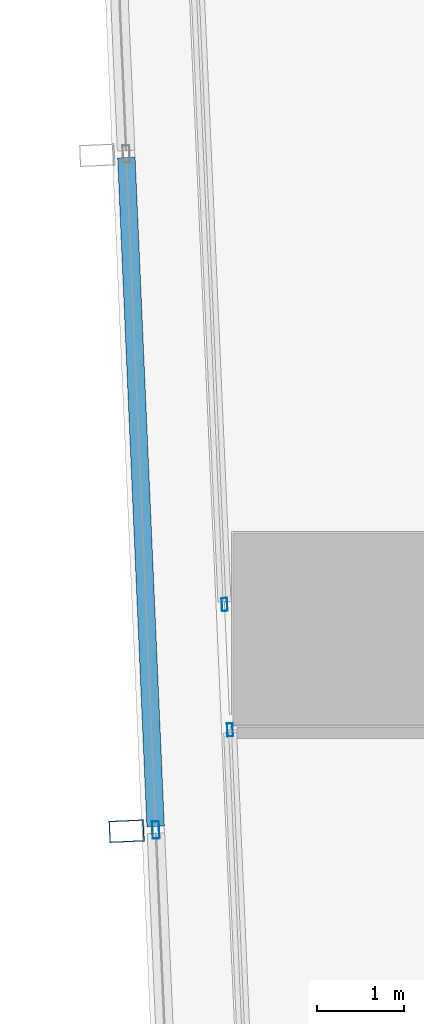
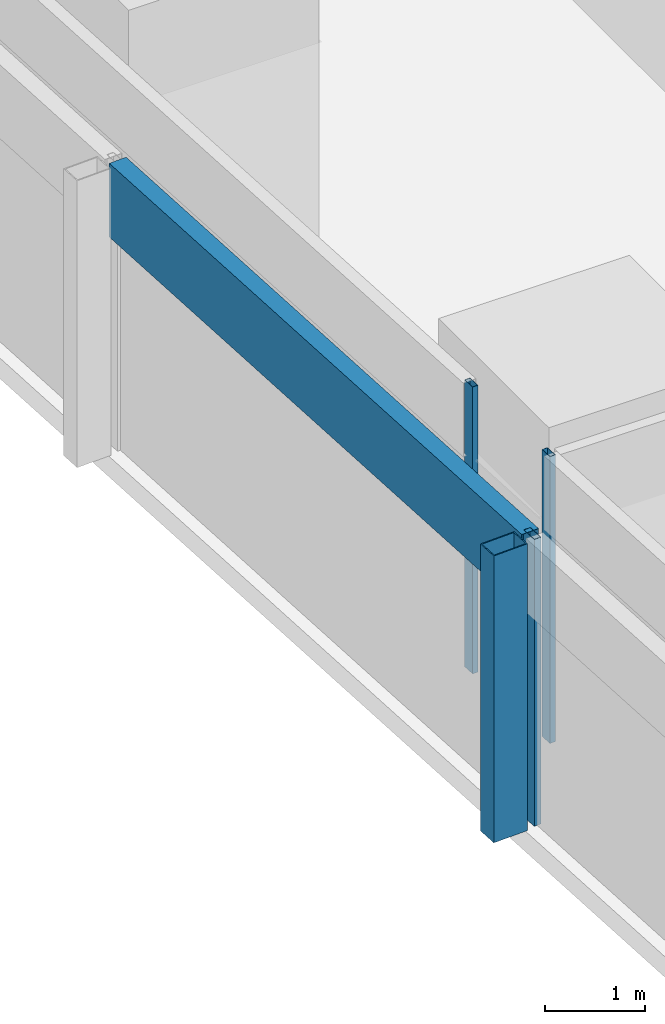
# One storey, part 4 of 44: 5 members, 3 elements without a shape of their own.
"""IFC4 building model written with IfcOpenShell, lengths in metres."""

from ifc_helpers import new_model, si_unit, direction, frame, origin, origin_2d, place, context, subcontext, project, spatial, hollow_rectangle, extrude, material, material_profile, profile_set, type_object, element, aggregate, save


model = new_model("IFC4")

# Units and contexts
model_context = context("Model", 3, precision=1e-05, world=origin(), true_north=direction((0.0, 1.0)))
body_context = subcontext(model_context, "Body", "Model", "MODEL_VIEW")
ifc_project = project(units=[si_unit("LENGTHUNIT", "METRE"), si_unit("AREAUNIT", "SQUARE_METRE"), si_unit("VOLUMEUNIT", "CUBIC_METRE"), si_unit("PLANEANGLEUNIT", "RADIAN"), si_unit("MASSUNIT", "GRAM", prefix="KILO")], contexts=[model_context])

# Site, building, storey
site_placement = place(None, origin())
site = spatial("IfcSite", under=ifc_project, at=site_placement, CompositionType="ELEMENT")
building_placement = place(site_placement, origin())
building = spatial("IfcBuilding", under=site, at=building_placement, Name="Rekha Terrace Tower", CompositionType="ELEMENT")
storey_placement = place(building_placement, frame((0.0, 0.0, 47.89990234375)))
storey = spatial("IfcBuildingStorey", under=building, at=storey_placement, Name="L11", CompositionType="ELEMENT", Elevation=47.89990234375)

# Curtain wall, member
ifc_material_1 = material(Name="Aluminium framing", Category="aluminium")
curtain_wall_type_1 = type_object("IfcCurtainWallType", Name="CW2 double skin outer glazing", PredefinedType="USERDEFINED", material=ifc_material_1)
curtain_wall_1_placement = place(storey_placement, origin())
curtain_wall_1 = element("IfcCurtainWall", 1, at=curtain_wall_1_placement, inside=storey, type_object=curtain_wall_type_1, Name="CW2 double skin outer glazing", ObjectType="DOUBLE SKIN OUTER GLAZING", PredefinedType="USERDEFINED")
ifc_material_2 = material(Name="Steel S355 with fluorocarbon finish", Category="steel")
ifc_material_profile_1 = material_profile(ifc_material_2, hollow_rectangle(XDim=0.25, YDim=0.39990234375, WallThickness=0.012451171875, at=origin_2d()), Name="RHS400x250x12.5")
ifc_profile_set_1 = profile_set([ifc_material_profile_1], Name="Steel S355 with fluorocarbon finish")
member_type_1 = type_object("IfcMemberType", Name="BL1 facade blade RHS 400 x 250", PredefinedType="USERDEFINED", material=ifc_profile_set_1)
member_1_placement = place(storey_placement, frame((6.080078125, 14.482421875, 0.0), z_axis=(0.0, 0.0, 1.0), x_axis=(0.04368215933, -0.999045478923, 0.0)))
member_1 = element("IfcMember", 2, at=member_1_placement, type_object=member_type_1, Name="Facade blade", ObjectType="FACADE BLADE", PredefinedType="USERDEFINED", context=body_context, shape_type="SweptSolid", body=[
    extrude(hollow_rectangle(XDim=0.25, YDim=0.39990234375, WallThickness=0.012451171875, at=origin_2d()), origin(), (0.0, 0.0, 1.0), 3.5),
])

curtain_wall_type_2 = type_object("IfcCurtainWallType", Name="CW1 double skin inner glazing", PredefinedType="USERDEFINED", material=ifc_material_1)
curtain_wall_2_placement = place(storey_placement, origin())
curtain_wall_2 = element("IfcCurtainWall", 3, at=curtain_wall_2_placement, inside=storey, type_object=curtain_wall_type_2, Name="CW1 double skin inner glazing", ObjectType="DOUBLE SKIN INNER GLAZING", PredefinedType="USERDEFINED")
ifc_material_3 = material(Name="Aluminium mullion section", Category="aluminium")
ifc_material_profile_2 = material_profile(ifc_material_3, hollow_rectangle(XDim=0.06494140625, YDim=0.14990234375, WallThickness=0.00390625, at=origin_2d()), Name="AL RHS 65x150")
ifc_profile_set_2 = profile_set([ifc_material_profile_2], Name="Aluminium mullion section")
member_type_2 = type_object("IfcMemberType", Name="CW1 mullion RHS 65 x 150", PredefinedType="MULLION", material=ifc_profile_set_2)
member_2_placement = place(storey_placement, frame((7.202880859375, 17.07958984375, 0.0), z_axis=(0.0, 0.0, 1.0), x_axis=(0.999045462133, 0.043682543337, 0.0)))
member_2 = element("IfcMember", 4, at=member_2_placement, type_object=member_type_2, Name="CW1 mullion 4", PredefinedType="MULLION", context=body_context, shape_type="SweptSolid", body=[
    extrude(hollow_rectangle(XDim=0.06494140625, YDim=0.14990234375, WallThickness=0.00390625, at=origin_2d()), origin(), (0.0, 0.0, 1.0), 3.5),
])
aggregate(curtain_wall_2, [member_2])

curtain_wall_3_placement = place(storey_placement, origin())
curtain_wall_3 = element("IfcCurtainWall", 5, at=curtain_wall_3_placement, inside=storey, type_object=curtain_wall_type_2, Name="CW1 double skin inner glazing", ObjectType="DOUBLE SKIN INNER GLAZING", PredefinedType="USERDEFINED")
member_3_placement = place(storey_placement, frame((7.265625, 15.643310546875, 0.0), z_axis=(0.0, 0.0, 1.0), x_axis=(0.999045462129, 0.043682543424, 0.0)))
member_3 = element("IfcMember", 6, at=member_3_placement, type_object=member_type_2, Name="CW1 mullion 1", PredefinedType="MULLION", context=body_context, shape_type="SweptSolid", body=[
    extrude(hollow_rectangle(XDim=0.06494140625, YDim=0.14990234375, WallThickness=0.00390625, at=origin_2d()), origin(), (0.0, 0.0, 1.0), 3.5),
])
aggregate(curtain_wall_3, [member_3])

# Member
ifc_material_profile_3 = material_profile(ifc_material_3, hollow_rectangle(XDim=0.080078125, YDim=0.199951171875, WallThickness=0.00390625, at=origin_2d()), Name="AL RHS 80x200")
ifc_profile_set_3 = profile_set([ifc_material_profile_3], Name="Aluminium mullion section")
member_type_3 = type_object("IfcMemberType", Name="CW2 mullion RHS 80 x 200", PredefinedType="MULLION", material=ifc_profile_set_3)
member_4_placement = place(storey_placement, frame((6.414794921875, 14.4970703125, 0.0), z_axis=(0.0, 0.0, 1.0), x_axis=(0.999045462131, 0.043682543372, 0.0)))
member_4 = element("IfcMember", 7, at=member_4_placement, type_object=member_type_3, Name="CW2 mullion 5", PredefinedType="MULLION", context=body_context, shape_type="SweptSolid", body=[
    extrude(hollow_rectangle(XDim=0.080078125, YDim=0.199951171875, WallThickness=0.00390625, at=origin_2d()), origin(), (0.0, 0.0, 1.0), 3.5),
])

ifc_material_4 = material(Name="Insulated aluminium spandrel box", Category="aluminium")
ifc_material_profile_4 = material_profile(ifc_material_4, hollow_rectangle(XDim=0.199951171875, YDim=0.89990234375, WallThickness=0.0029296875, at=origin_2d()), Name="AL SPANDREL BOX 200x900")
ifc_profile_set_4 = profile_set([ifc_material_profile_4], Name="Insulated aluminium spandrel box")
member_type_4 = type_object("IfcMemberType", Name="CW2 spandrel transom 200 x 900", PredefinedType="USERDEFINED", material=ifc_profile_set_4)
member_5_placement = place(storey_placement, frame((6.077880859375, 22.201416015625, 3.050048828125), z_axis=(0.043694095051, -0.999044956975, 0.0), x_axis=(0.999044956975, 0.043694095051, 0.0)))
member_5 = element("IfcMember", 8, at=member_5_placement, type_object=member_type_4, Name="CW2 spandrel transom 4", ObjectType="TRANSOM", PredefinedType="USERDEFINED", context=body_context, shape_type="SweptSolid", body=[
    extrude(hollow_rectangle(XDim=0.199951171875, YDim=0.89990234375, WallThickness=0.0029296875, at=origin_2d()), origin(), (0.0, 0.0, 1.0), 7.671630859375),
])

aggregate(curtain_wall_1, [member_4, member_5, member_1])

save(model, "model.ifc")
